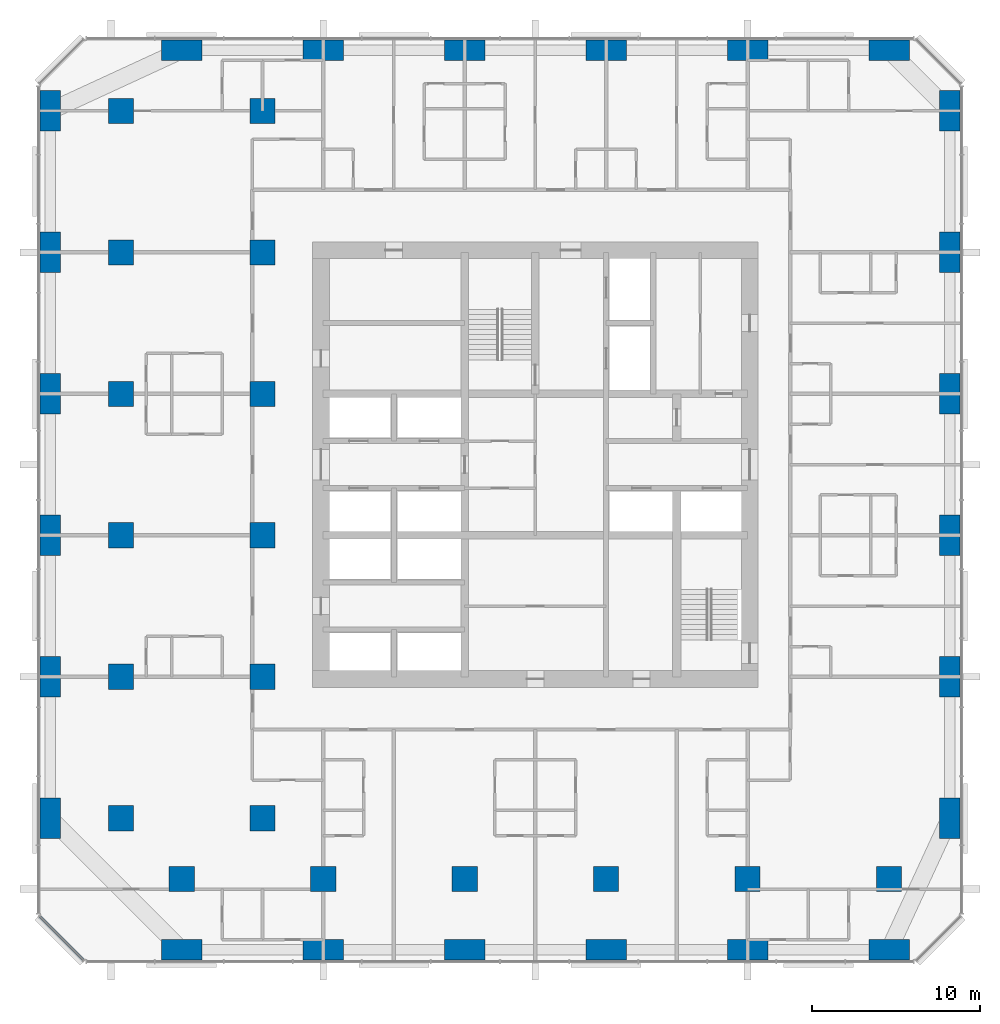
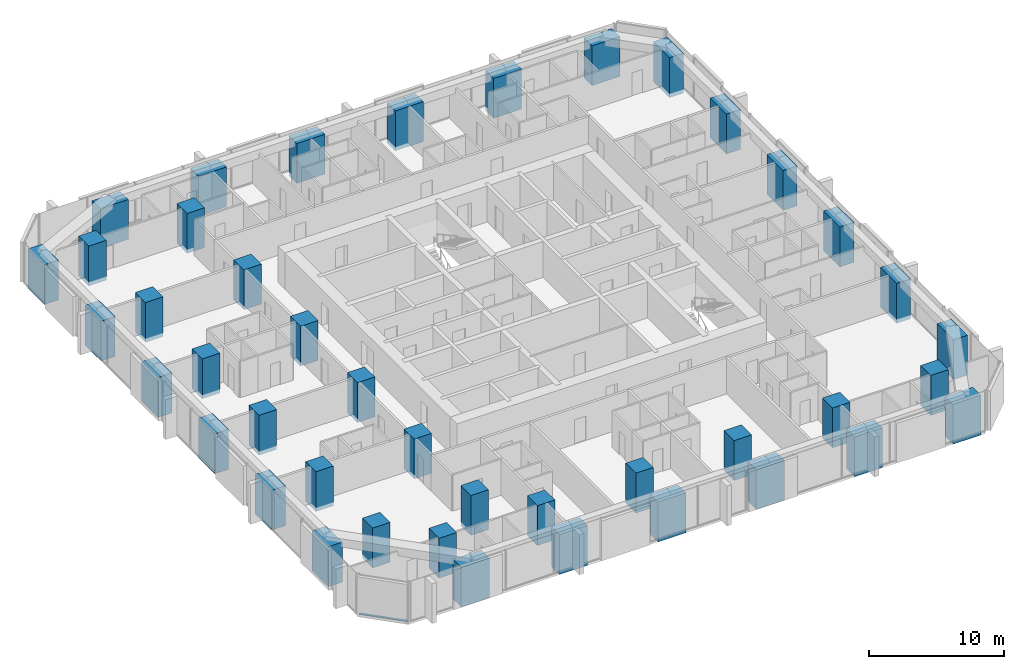
# One storey, part 1 of 14: 42 columns, 1 member, 1 element without a shape of its own.
"""IFC4 building model written with IfcOpenShell, lengths in metres."""

from ifc_helpers import new_model, si_unit, direction, frame, origin, origin_2d, place, context, subcontext, project, spatial, rectangle, extrude, material, material_profile, profile_set, type_object, element, aggregate, save


model = new_model("IFC4")

# Units and contexts
model_context = context("Model", 3, precision=1e-05, world=origin(), true_north=direction((0.0, 1.0)))
body_context = subcontext(model_context, "Body", "Model", "MODEL_VIEW")
ifc_project = project(units=[si_unit("LENGTHUNIT", "METRE"), si_unit("AREAUNIT", "SQUARE_METRE"), si_unit("VOLUMEUNIT", "CUBIC_METRE"), si_unit("PLANEANGLEUNIT", "RADIAN"), si_unit("MASSUNIT", "GRAM", prefix="KILO")], contexts=[model_context])

# Site, building, storey
site_placement = place(None, origin())
site = spatial("IfcSite", under=ifc_project, at=site_placement, CompositionType="ELEMENT")
building_placement = place(site_placement, origin())
building = spatial("IfcBuilding", under=site, at=building_placement, Name="Dunama Terrace Hotel", CompositionType="ELEMENT")
storey_placement = place(building_placement, frame((0.0, 0.0, 129.60009765625)))
storey = spatial("IfcBuildingStorey", under=building, at=storey_placement, Name="L33", CompositionType="ELEMENT", Elevation=129.60009765625)

# Columns
ifc_material_1 = material(Name="Concrete C60/75", Category="concrete")
ifc_material_profile_1 = material_profile(ifc_material_1, rectangle(XDim=1.199951171875, YDim=2.39990234375, at=origin_2d()), Name="RC 1200x2400")
ifc_profile_set_1 = profile_set([ifc_material_profile_1], Name="Concrete C60/75")
column_type_1 = type_object("IfcColumnType", Name="Column RC 1200x2400", PredefinedType="COLUMN", material=ifc_profile_set_1)
for number, where, z_axis, x_axis, name in (
    (1, (0.60009765625, 8.39990234375, -0.35009765625), (0.0, 0.0, 1.0), (1.0, 0.0, 0.0), "Column L33 +0.6/+8.4"),
    (2, (0.60009765625, 16.800048828125, -0.35009765625), (0.0, 0.0, 1.0), (1.0, 0.0, 0.0), "Column L33 +0.6/+16.8"),
    (3, (0.60009765625, 25.199951171875, -0.35009765625), (0.0, 0.0, 1.0), (1.0, 0.0, 0.0), "Column L33 +0.6/+25.2"),
    (4, (0.60009765625, 33.60009765625, -0.35009765625), (0.0, 0.0, 1.0), (1.0, 0.0, 0.0), "Column L33 +0.6/+33.6"),
    (5, (0.60009765625, 42.0, -0.35009765625), (0.0, 0.0, 1.0), (1.0, 0.0, 0.0), "Column L33 +0.6/+42.0"),
    (6, (0.60009765625, 50.39990234375, -0.35009765625), (0.0, 0.0, 1.0), (1.0, 0.0, 0.0), "Column L33 +0.6/+50.4"),
    (7, (54.0, 8.39990234375, -0.35009765625), (0.0, 0.0, 1.0), (1.0, 0.0, 0.0), "Column L33 +54.0/+8.4"),
    (8, (54.0, 16.800048828125, -0.35009765625), (0.0, 0.0, 1.0), (1.0, 0.0, 0.0), "Column L33 +54.0/+16.8"),
    (9, (54.0, 25.199951171875, -0.35009765625), (0.0, 0.0, 1.0), (1.0, 0.0, 0.0), "Column L33 +54.0/+25.2"),
    (10, (54.0, 33.60009765625, -0.35009765625), (0.0, 0.0, 1.0), (1.0, 0.0, 0.0), "Column L33 +54.0/+33.6"),
    (11, (54.0, 42.0, -0.35009765625), (0.0, 0.0, 1.0), (1.0, 0.0, 0.0), "Column L33 +54.0/+42.0"),
    (12, (54.0, 50.39990234375, -0.35009765625), (0.0, 0.0, 1.0), (1.0, 0.0, 0.0), "Column L33 +54.0/+50.4"),
):
    element("IfcColumn", number, at=place(storey_placement, frame(where, z_axis=z_axis, x_axis=x_axis)), inside=storey, type_object=column_type_1, Name=name, PredefinedType="COLUMN", context=body_context, shape_type="SweptSolid", body=[
        extrude(rectangle(XDim=1.199951171875, YDim=2.39990234375, at=origin_2d()), origin(), (0.0, 0.0, 1.0), 3.60009765625),
    ])
ifc_material_2 = material(Name="Concrete C60/75", Category="concrete")
ifc_material_profile_2 = material_profile(ifc_material_2, rectangle(XDim=1.5, YDim=1.5, at=origin_2d()), Name="RC 1500x1500")
ifc_profile_set_2 = profile_set([ifc_material_profile_2], Name="Concrete C60/75")
column_type_2 = type_object("IfcColumnType", Name="Column RC 1500x1500", PredefinedType="COLUMN", material=ifc_profile_set_2)
for number, where, z_axis, x_axis, name in (
    (13, (4.800048828125, 8.39990234375, -0.35009765625), (0.0, 0.0, 1.0), (1.0, 0.0, 0.0), "Column L33 +4.8/+8.4"),
    (14, (4.800048828125, 16.800048828125, -0.35009765625), (0.0, 0.0, 1.0), (1.0, 0.0, 0.0), "Column L33 +4.8/+16.8"),
    (15, (4.800048828125, 25.199951171875, -0.35009765625), (0.0, 0.0, 1.0), (1.0, 0.0, 0.0), "Column L33 +4.8/+25.2"),
    (16, (4.800048828125, 33.60009765625, -0.35009765625), (0.0, 0.0, 1.0), (1.0, 0.0, 0.0), "Column L33 +4.8/+33.6"),
    (17, (4.800048828125, 42.0, -0.35009765625), (0.0, 0.0, 1.0), (1.0, 0.0, 0.0), "Column L33 +4.8/+42.0"),
    (18, (4.800048828125, 50.39990234375, -0.35009765625), (0.0, 0.0, 1.0), (1.0, 0.0, 0.0), "Column L33 +4.8/+50.4"),
    (19, (8.39990234375, 4.800048828125, -0.35009765625), (0.0, 0.0, 1.0), (1.0, 0.0, 0.0), "Column L33 +8.4/+4.8"),
    (20, (13.199951171875, 8.39990234375, -0.35009765625), (0.0, 0.0, 1.0), (1.0, 0.0, 0.0), "Column L33 +13.2/+8.4"),
    (21, (13.199951171875, 16.800048828125, -0.35009765625), (0.0, 0.0, 1.0), (1.0, 0.0, 0.0), "Column L33 +13.2/+16.8"),
    (22, (13.199951171875, 25.199951171875, -0.35009765625), (0.0, 0.0, 1.0), (1.0, 0.0, 0.0), "Column L33 +13.2/+25.2"),
    (23, (13.199951171875, 33.60009765625, -0.35009765625), (0.0, 0.0, 1.0), (1.0, 0.0, 0.0), "Column L33 +13.2/+33.6"),
    (24, (13.199951171875, 42.0, -0.35009765625), (0.0, 0.0, 1.0), (1.0, 0.0, 0.0), "Column L33 +13.2/+42.0"),
    (25, (13.199951171875, 50.39990234375, -0.35009765625), (0.0, 0.0, 1.0), (1.0, 0.0, 0.0), "Column L33 +13.2/+50.4"),
    (26, (16.800048828125, 4.800048828125, -0.35009765625), (0.0, 0.0, 1.0), (1.0, 0.0, 0.0), "Column L33 +16.8/+4.8"),
    (27, (25.199951171875, 4.800048828125, -0.35009765625), (0.0, 0.0, 1.0), (1.0, 0.0, 0.0), "Column L33 +25.2/+4.8"),
    (28, (33.60009765625, 4.800048828125, -0.35009765625), (0.0, 0.0, 1.0), (1.0, 0.0, 0.0), "Column L33 +33.6/+4.8"),
    (29, (42.0, 4.800048828125, -0.35009765625), (0.0, 0.0, 1.0), (1.0, 0.0, 0.0), "Column L33 +42.0/+4.8"),
    (30, (50.39990234375, 4.800048828125, -0.35009765625), (0.0, 0.0, 1.0), (1.0, 0.0, 0.0), "Column L33 +50.4/+4.8"),
):
    element("IfcColumn", number, at=place(storey_placement, frame(where, z_axis=z_axis, x_axis=x_axis)), inside=storey, type_object=column_type_2, Name=name, PredefinedType="COLUMN", context=body_context, shape_type="SweptSolid", body=[
        extrude(rectangle(XDim=1.5, YDim=1.5, at=origin_2d()), origin(), (0.0, 0.0, 1.0), 3.60009765625),
    ])
ifc_material_3 = material(Name="Concrete C60/75", Category="concrete")
ifc_material_profile_3 = material_profile(ifc_material_3, rectangle(XDim=2.39990234375, YDim=1.199951171875, at=origin_2d()), Name="RC 2400x1200")
ifc_profile_set_3 = profile_set([ifc_material_profile_3], Name="Concrete C60/75")
column_type_3 = type_object("IfcColumnType", Name="Column RC 2400x1200", PredefinedType="COLUMN", material=ifc_profile_set_3)
for number, where, z_axis, x_axis, name in (
    (31, (8.39990234375, 0.60009765625, -0.35009765625), (0.0, 0.0, 1.0), (1.0, 0.0, 0.0), "Column L33 +8.4/+0.6"),
    (32, (8.39990234375, 54.0, -0.35009765625), (0.0, 0.0, 1.0), (1.0, 0.0, 0.0), "Column L33 +8.4/+54.0"),
    (33, (16.800048828125, 0.60009765625, -0.35009765625), (0.0, 0.0, 1.0), (1.0, 0.0, 0.0), "Column L33 +16.8/+0.6"),
    (34, (16.800048828125, 54.0, -0.35009765625), (0.0, 0.0, 1.0), (1.0, 0.0, 0.0), "Column L33 +16.8/+54.0"),
    (35, (25.199951171875, 0.60009765625, -0.35009765625), (0.0, 0.0, 1.0), (1.0, 0.0, 0.0), "Column L33 +25.2/+0.6"),
    (36, (25.199951171875, 54.0, -0.35009765625), (0.0, 0.0, 1.0), (1.0, 0.0, 0.0), "Column L33 +25.2/+54.0"),
    (37, (33.60009765625, 0.60009765625, -0.35009765625), (0.0, 0.0, 1.0), (1.0, 0.0, 0.0), "Column L33 +33.6/+0.6"),
    (38, (33.60009765625, 54.0, -0.35009765625), (0.0, 0.0, 1.0), (1.0, 0.0, 0.0), "Column L33 +33.6/+54.0"),
    (39, (42.0, 0.60009765625, -0.35009765625), (0.0, 0.0, 1.0), (1.0, 0.0, 0.0), "Column L33 +42.0/+0.6"),
    (40, (42.0, 54.0, -0.35009765625), (0.0, 0.0, 1.0), (1.0, 0.0, 0.0), "Column L33 +42.0/+54.0"),
    (41, (50.39990234375, 0.60009765625, -0.35009765625), (0.0, 0.0, 1.0), (1.0, 0.0, 0.0), "Column L33 +50.4/+0.6"),
    (42, (50.39990234375, 54.0, -0.35009765625), (0.0, 0.0, 1.0), (1.0, 0.0, 0.0), "Column L33 +50.4/+54.0"),
):
    element("IfcColumn", number, at=place(storey_placement, frame(where, z_axis=z_axis, x_axis=x_axis)), inside=storey, type_object=column_type_3, Name=name, PredefinedType="COLUMN", context=body_context, shape_type="SweptSolid", body=[
        extrude(rectangle(XDim=2.39990234375, YDim=1.199951171875, at=origin_2d()), origin(), (0.0, 0.0, 1.0), 3.60009765625),
    ])

# Curtain wall, member
ifc_material_4 = material(Name="Aluminium curtain wall system", Category="aluminium")
curtain_wall_type = type_object("IfcCurtainWallType", Name="Unitised fritted glass wall CW-B", PredefinedType="NOTDEFINED", material=ifc_material_4)
curtain_wall_placement = place(storey_placement, origin())
curtain_wall = element("IfcCurtainWall", 43, at=curtain_wall_placement, inside=storey, type_object=curtain_wall_type, Name="Unitised fritted glass wall CW-B L33", PredefinedType="NOTDEFINED")
ifc_material_5 = material(Name="Aluminium transom", Category="aluminium")
ifc_material_profile_4 = material_profile(ifc_material_5, rectangle(XDim=0.179931640625, YDim=0.080078125, at=origin_2d()), Name="CWB TRANSOM 180X80")
ifc_profile_set_4 = profile_set([ifc_material_profile_4], Name="Aluminium transom")
member_type = type_object("IfcMemberType", Name="CWB transom 180x80", PredefinedType="USERDEFINED", material=ifc_profile_set_4)
member_placement = place(storey_placement, frame((-0.031982421875, 2.575927734375, 0.039794921875), z_axis=(0.707106781187, -0.707106781187, 0.0), x_axis=(0.707106781187, 0.707106781187, 0.0)))
member = element("IfcMember", 44, at=member_placement, type_object=member_type, Name="CWB transom", ObjectType="TRANSOM", PredefinedType="USERDEFINED", context=body_context, shape_type="SweptSolid", body=[
    extrude(rectangle(XDim=0.179931640625, YDim=0.080078125, at=origin_2d()), origin(), (0.0, 0.0, 1.0), 3.688232421875),
])
aggregate(curtain_wall, [member])

save(model, "model.ifc")
